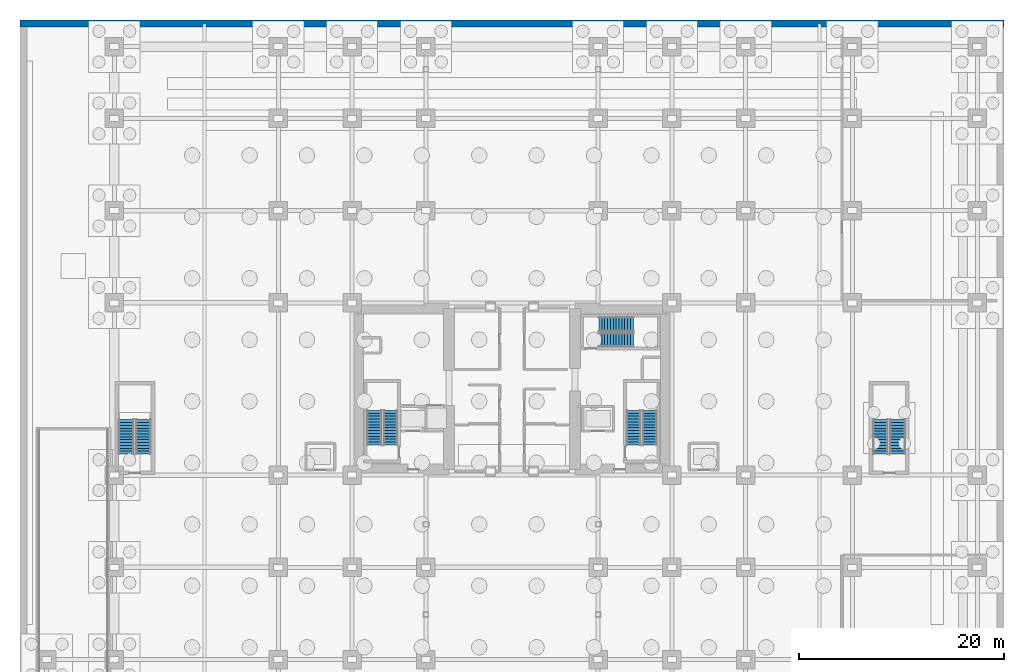
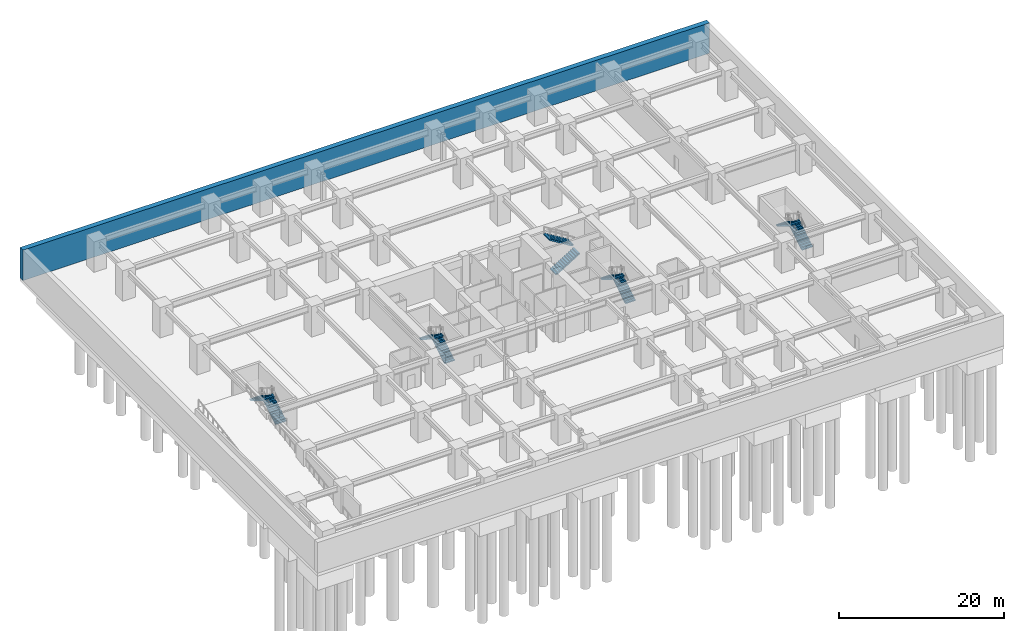
# One storey, part 14 of 23: 10 stair flights, 1 wall, 5 elements without a shape of their own.
"""IFC4 building model written with IfcOpenShell, lengths in metres."""

from ifc_helpers import new_model, si_unit, direction, frame, frame_2d, origin, place, context, subcontext, project, spatial, polyline, rectangle, outline, extrude, material, layer, layer_set, type_object, element, aggregate, save


model = new_model("IFC4")

# Units and contexts
model_context = context("Model", 3, precision=1e-05, world=origin(), true_north=direction((0.0, 1.0)))
body_context = subcontext(model_context, "Body", "Model", "MODEL_VIEW")
ifc_project = project(units=[si_unit("LENGTHUNIT", "METRE"), si_unit("AREAUNIT", "SQUARE_METRE"), si_unit("VOLUMEUNIT", "CUBIC_METRE"), si_unit("PLANEANGLEUNIT", "RADIAN"), si_unit("MASSUNIT", "GRAM", prefix="KILO")], contexts=[model_context])

# Site, building, storey
site_placement = place(None, origin())
site = spatial("IfcSite", under=ifc_project, at=site_placement, CompositionType="ELEMENT")
building_placement = place(site_placement, origin())
building = spatial("IfcBuilding", under=site, at=building_placement, Name="Kiyonajd Concourse Tower", CompositionType="ELEMENT")
storey_placement = place(building_placement, frame((0.0, 0.0, -9.0)))
storey = spatial("IfcBuildingStorey", under=building, at=storey_placement, Name="B2", CompositionType="ELEMENT", Elevation=-9.0)

# Wall
ifc_material_1 = material(Name="Concrete C50/60", Category="concrete")
ifc_layer = layer(ifc_material_1, 0.699951171875)
ifc_layer_set = layer_set([ifc_layer], Name="Concrete C50/60")
wall_type = type_object("IfcWallType", Name="WL-RET-700", PredefinedType="SOLIDWALL", material=ifc_layer_set)
wall_placement = place(storey_placement, frame((96.0, 71.64990234375, 0.0), z_axis=(0.0, 0.0, 1.0), x_axis=(-1.0, 0.0, 0.0)))
element("IfcWall", 1, at=wall_placement, inside=storey, type_object=wall_type, Name="B2 North Basement Retaining Wall", PredefinedType="SOLIDWALL", context=body_context, shape_type="SweptSolid", body=[
    extrude(rectangle(XDim=96.0, YDim=0.699951171875, at=frame_2d((48.0, 0.0))), origin(), (0.0, 0.0, 1.0), 4.5),
])

# Stair, stair flights
ifc_material_2 = material(Name="Concrete C40/50", Category="concrete")
stair_type_1 = type_object("IfcStairType", Name="ST-POD-1500", PredefinedType="HALF_TURN_STAIR", material=ifc_material_2)
stair_1_placement = place(storey_placement, origin())
stair_1 = element("IfcStair", 2, at=stair_1_placement, inside=storey, type_object=stair_type_1, Name="B2 West Podium Exit Stair ST4", PredefinedType="HALF_TURN_STAIR")
stair_flight_type_1 = type_object("IfcStairFlightType", Name="SF-POD-1500", PredefinedType="STRAIGHT", material=ifc_material_2)
stair_flight_1_placement = place(storey_placement, frame((12.050048828125, 29.64990234375, 0.0), z_axis=(0.0, 0.0, 1.0), x_axis=(0.0, 1.0, 0.0)))
stair_flight_1 = element("IfcStairFlight", 3, at=stair_flight_1_placement, type_object=stair_flight_type_1, Name="ST4 flight 1", NumberOfRisers=13, NumberOfTreads=12, PredefinedType="STRAIGHT", RiserHeight=0.173076923, TreadLength=0.28, context=body_context, shape_type="SweptSolid", body=[
    extrude(outline(polyline([(0.0, 0.0), (0.0, 0.173095703125), (0.280029296875, 0.173095703125), (0.280029296875, 0.34619140625), (0.56005859375, 0.34619140625), (0.56005859375, 0.519287109375), (0.840087890625, 0.519287109375), (0.840087890625, 0.6923828125), (1.1201171875, 0.6923828125), (1.1201171875, 0.865478515625), (1.39990234375, 0.865478515625), (1.39990234375, 1.03857421875), (1.679931640625, 1.03857421875), (1.679931640625, 1.21142578125), (1.9599609375, 1.21142578125), (1.9599609375, 1.384521484375), (2.239990234375, 1.384521484375), (2.239990234375, 1.5576171875), (2.52001953125, 1.5576171875), (2.52001953125, 1.730712890625), (2.800048828125, 1.730712890625), (2.800048828125, 1.90380859375), (3.080078125, 1.90380859375), (3.080078125, 2.076904296875), (3.360107421875, 2.076904296875), (3.360107421875, 2.25), (3.360107421875, 1.900634765625), (0.28515625, 0.0), (0.0, 0.0)])), frame((0.0, 0.75, 0.0), z_axis=(0.0, -1.0, 0.0), x_axis=(1.0, 0.0, 0.0)), (0.0, 0.0, 1.0), 1.5),
])
stair_flight_2_placement = place(storey_placement, frame((10.35009765625, 33.010009765625, 2.25), z_axis=(0.0, 0.0, 1.0), x_axis=(0.0, -1.0, 0.0)))
stair_flight_2 = element("IfcStairFlight", 4, at=stair_flight_2_placement, type_object=stair_flight_type_1, Name="ST4 flight 2", NumberOfRisers=13, NumberOfTreads=12, PredefinedType="STRAIGHT", RiserHeight=0.173076923, TreadLength=0.28, context=body_context, shape_type="SweptSolid", body=[
    extrude(outline(polyline([(0.0, 0.0), (0.0, 0.173095703125), (0.280029296875, 0.173095703125), (0.280029296875, 0.34619140625), (0.56005859375, 0.34619140625), (0.56005859375, 0.519287109375), (0.840087890625, 0.519287109375), (0.840087890625, 0.6923828125), (1.1201171875, 0.6923828125), (1.1201171875, 0.865478515625), (1.39990234375, 0.865478515625), (1.39990234375, 1.03857421875), (1.679931640625, 1.03857421875), (1.679931640625, 1.21142578125), (1.9599609375, 1.21142578125), (1.9599609375, 1.384521484375), (2.239990234375, 1.384521484375), (2.239990234375, 1.5576171875), (2.52001953125, 1.5576171875), (2.52001953125, 1.730712890625), (2.800048828125, 1.730712890625), (2.800048828125, 1.90380859375), (3.080078125, 1.90380859375), (3.080078125, 2.076904296875), (3.360107421875, 2.076904296875), (3.360107421875, 2.25), (3.360107421875, 1.900634765625), (0.28515625, 0.0), (0.0, 0.0)])), frame((0.0, 0.75, 0.0), z_axis=(0.0, -1.0, 0.0), x_axis=(1.0, 0.0, 0.0)), (0.0, 0.0, 1.0), 1.5),
])
aggregate(stair_1, [stair_flight_1, stair_flight_2])

stair_2_placement = place(storey_placement, origin())
stair_2 = element("IfcStair", 5, at=stair_2_placement, inside=storey, type_object=stair_type_1, Name="B2 East Podium Exit Stair ST5", PredefinedType="HALF_TURN_STAIR")
stair_flight_3_placement = place(storey_placement, frame((85.64990234375, 29.64990234375, 0.0), z_axis=(0.0, 0.0, 1.0), x_axis=(0.0, 1.0, 0.0)))
stair_flight_3 = element("IfcStairFlight", 6, at=stair_flight_3_placement, type_object=stair_flight_type_1, Name="ST5 flight 1", NumberOfRisers=13, NumberOfTreads=12, PredefinedType="STRAIGHT", RiserHeight=0.173076923, TreadLength=0.28, context=body_context, shape_type="SweptSolid", body=[
    extrude(outline(polyline([(0.0, 0.0), (0.0, 0.173095703125), (0.280029296875, 0.173095703125), (0.280029296875, 0.34619140625), (0.56005859375, 0.34619140625), (0.56005859375, 0.519287109375), (0.840087890625, 0.519287109375), (0.840087890625, 0.6923828125), (1.1201171875, 0.6923828125), (1.1201171875, 0.865478515625), (1.39990234375, 0.865478515625), (1.39990234375, 1.03857421875), (1.679931640625, 1.03857421875), (1.679931640625, 1.21142578125), (1.9599609375, 1.21142578125), (1.9599609375, 1.384521484375), (2.239990234375, 1.384521484375), (2.239990234375, 1.5576171875), (2.52001953125, 1.5576171875), (2.52001953125, 1.730712890625), (2.800048828125, 1.730712890625), (2.800048828125, 1.90380859375), (3.080078125, 1.90380859375), (3.080078125, 2.076904296875), (3.360107421875, 2.076904296875), (3.360107421875, 2.25), (3.360107421875, 1.900634765625), (0.28515625, 0.0), (0.0, 0.0)])), frame((0.0, 0.75, 0.0), z_axis=(0.0, -1.0, 0.0), x_axis=(1.0, 0.0, 0.0)), (0.0, 0.0, 1.0), 1.5),
])
stair_flight_4_placement = place(storey_placement, frame((83.949951171875, 33.010009765625, 2.25), z_axis=(0.0, 0.0, 1.0), x_axis=(0.0, -1.0, 0.0)))
stair_flight_4 = element("IfcStairFlight", 7, at=stair_flight_4_placement, type_object=stair_flight_type_1, Name="ST5 flight 2", NumberOfRisers=13, NumberOfTreads=12, PredefinedType="STRAIGHT", RiserHeight=0.173076923, TreadLength=0.28, context=body_context, shape_type="SweptSolid", body=[
    extrude(outline(polyline([(0.0, 0.0), (0.0, 0.173095703125), (0.280029296875, 0.173095703125), (0.280029296875, 0.34619140625), (0.56005859375, 0.34619140625), (0.56005859375, 0.519287109375), (0.840087890625, 0.519287109375), (0.840087890625, 0.6923828125), (1.1201171875, 0.6923828125), (1.1201171875, 0.865478515625), (1.39990234375, 0.865478515625), (1.39990234375, 1.03857421875), (1.679931640625, 1.03857421875), (1.679931640625, 1.21142578125), (1.9599609375, 1.21142578125), (1.9599609375, 1.384521484375), (2.239990234375, 1.384521484375), (2.239990234375, 1.5576171875), (2.52001953125, 1.5576171875), (2.52001953125, 1.730712890625), (2.800048828125, 1.730712890625), (2.800048828125, 1.90380859375), (3.080078125, 1.90380859375), (3.080078125, 2.076904296875), (3.360107421875, 2.076904296875), (3.360107421875, 2.25), (3.360107421875, 1.900634765625), (0.28515625, 0.0), (0.0, 0.0)])), frame((0.0, 0.75, 0.0), z_axis=(0.0, -1.0, 0.0), x_axis=(1.0, 0.0, 0.0)), (0.0, 0.0, 1.0), 1.5),
])
aggregate(stair_2, [stair_flight_3, stair_flight_4])

stair_type_2 = type_object("IfcStairType", Name="ST-DLG-26R", PredefinedType="HALF_TURN_STAIR", material=ifc_material_2)
stair_3_placement = place(storey_placement, origin())
stair_3 = element("IfcStair", 8, at=stair_3_placement, inside=storey, type_object=stair_type_2, Name="B2 Protected Exit Stair ST1", PredefinedType="HALF_TURN_STAIR")
stair_flight_type_2 = type_object("IfcStairFlightType", Name="SF-STR-26R", PredefinedType="STRAIGHT", material=ifc_material_2)
stair_flight_5_placement = place(storey_placement, frame((36.14990234375, 30.550048828125, 0.0), z_axis=(0.0, 0.0, 1.0), x_axis=(0.0, 1.0, 0.0)))
stair_flight_5 = element("IfcStairFlight", 9, at=stair_flight_5_placement, type_object=stair_flight_type_2, Name="ST1 flight 1", NumberOfRisers=13, NumberOfTreads=12, PredefinedType="STRAIGHT", RiserHeight=0.173076923, TreadLength=0.28, context=body_context, shape_type="SweptSolid", body=[
    extrude(outline(polyline([(0.0, 0.0), (0.0, 0.173095703125), (0.280029296875, 0.173095703125), (0.280029296875, 0.34619140625), (0.56005859375, 0.34619140625), (0.56005859375, 0.519287109375), (0.840087890625, 0.519287109375), (0.840087890625, 0.6923828125), (1.1201171875, 0.6923828125), (1.1201171875, 0.865478515625), (1.39990234375, 0.865478515625), (1.39990234375, 1.03857421875), (1.679931640625, 1.03857421875), (1.679931640625, 1.21142578125), (1.9599609375, 1.21142578125), (1.9599609375, 1.384521484375), (2.239990234375, 1.384521484375), (2.239990234375, 1.5576171875), (2.52001953125, 1.5576171875), (2.52001953125, 1.730712890625), (2.800048828125, 1.730712890625), (2.800048828125, 1.90380859375), (3.080078125, 1.90380859375), (3.080078125, 2.076904296875), (3.360107421875, 2.076904296875), (3.360107421875, 2.25), (3.360107421875, 1.900634765625), (0.28515625, 0.0), (0.0, 0.0)])), frame((0.0, 0.699951171875, 0.0), z_axis=(0.0, -1.0, 0.0), x_axis=(1.0, 0.0, 0.0)), (0.0, 0.0, 1.0), 1.39990234375),
])
stair_flight_6_placement = place(storey_placement, frame((34.550048828125, 33.909912109375, 2.25), z_axis=(0.0, 0.0, 1.0), x_axis=(0.0, -1.0, 0.0)))
stair_flight_6 = element("IfcStairFlight", 10, at=stair_flight_6_placement, type_object=stair_flight_type_2, Name="ST1 flight 2", NumberOfRisers=13, NumberOfTreads=12, PredefinedType="STRAIGHT", RiserHeight=0.173076923, TreadLength=0.28, context=body_context, shape_type="SweptSolid", body=[
    extrude(outline(polyline([(0.0, 0.0), (0.0, 0.173095703125), (0.280029296875, 0.173095703125), (0.280029296875, 0.34619140625), (0.56005859375, 0.34619140625), (0.56005859375, 0.519287109375), (0.840087890625, 0.519287109375), (0.840087890625, 0.6923828125), (1.1201171875, 0.6923828125), (1.1201171875, 0.865478515625), (1.39990234375, 0.865478515625), (1.39990234375, 1.03857421875), (1.679931640625, 1.03857421875), (1.679931640625, 1.21142578125), (1.9599609375, 1.21142578125), (1.9599609375, 1.384521484375), (2.239990234375, 1.384521484375), (2.239990234375, 1.5576171875), (2.52001953125, 1.5576171875), (2.52001953125, 1.730712890625), (2.800048828125, 1.730712890625), (2.800048828125, 1.90380859375), (3.080078125, 1.90380859375), (3.080078125, 2.076904296875), (3.360107421875, 2.076904296875), (3.360107421875, 2.25), (3.360107421875, 1.900634765625), (0.28515625, 0.0), (0.0, 0.0)])), frame((0.0, 0.699951171875, 0.0), z_axis=(0.0, -1.0, 0.0), x_axis=(1.0, 0.0, 0.0)), (0.0, 0.0, 1.0), 1.39990234375),
])
aggregate(stair_3, [stair_flight_5, stair_flight_6])

stair_4_placement = place(storey_placement, origin())
stair_4 = element("IfcStair", 11, at=stair_4_placement, inside=storey, type_object=stair_type_2, Name="B2 Protected Exit Stair ST2", PredefinedType="HALF_TURN_STAIR")
stair_flight_7_placement = place(storey_placement, frame((61.449951171875, 30.550048828125, 0.0), z_axis=(0.0, 0.0, 1.0), x_axis=(0.0, 1.0, 0.0)))
stair_flight_7 = element("IfcStairFlight", 12, at=stair_flight_7_placement, type_object=stair_flight_type_2, Name="ST2 flight 1", NumberOfRisers=13, NumberOfTreads=12, PredefinedType="STRAIGHT", RiserHeight=0.173076923, TreadLength=0.28, context=body_context, shape_type="SweptSolid", body=[
    extrude(outline(polyline([(0.0, 0.0), (0.0, 0.173095703125), (0.280029296875, 0.173095703125), (0.280029296875, 0.34619140625), (0.56005859375, 0.34619140625), (0.56005859375, 0.519287109375), (0.840087890625, 0.519287109375), (0.840087890625, 0.6923828125), (1.1201171875, 0.6923828125), (1.1201171875, 0.865478515625), (1.39990234375, 0.865478515625), (1.39990234375, 1.03857421875), (1.679931640625, 1.03857421875), (1.679931640625, 1.21142578125), (1.9599609375, 1.21142578125), (1.9599609375, 1.384521484375), (2.239990234375, 1.384521484375), (2.239990234375, 1.5576171875), (2.52001953125, 1.5576171875), (2.52001953125, 1.730712890625), (2.800048828125, 1.730712890625), (2.800048828125, 1.90380859375), (3.080078125, 1.90380859375), (3.080078125, 2.076904296875), (3.360107421875, 2.076904296875), (3.360107421875, 2.25), (3.360107421875, 1.900634765625), (0.28515625, 0.0), (0.0, 0.0)])), frame((0.0, 0.699951171875, 0.0), z_axis=(0.0, -1.0, 0.0), x_axis=(1.0, 0.0, 0.0)), (0.0, 0.0, 1.0), 1.39990234375),
])
stair_flight_8_placement = place(storey_placement, frame((59.85009765625, 33.909912109375, 2.25), z_axis=(0.0, 0.0, 1.0), x_axis=(0.0, -1.0, 0.0)))
stair_flight_8 = element("IfcStairFlight", 13, at=stair_flight_8_placement, type_object=stair_flight_type_2, Name="ST2 flight 2", NumberOfRisers=13, NumberOfTreads=12, PredefinedType="STRAIGHT", RiserHeight=0.173076923, TreadLength=0.28, context=body_context, shape_type="SweptSolid", body=[
    extrude(outline(polyline([(0.0, 0.0), (0.0, 0.173095703125), (0.280029296875, 0.173095703125), (0.280029296875, 0.34619140625), (0.56005859375, 0.34619140625), (0.56005859375, 0.519287109375), (0.840087890625, 0.519287109375), (0.840087890625, 0.6923828125), (1.1201171875, 0.6923828125), (1.1201171875, 0.865478515625), (1.39990234375, 0.865478515625), (1.39990234375, 1.03857421875), (1.679931640625, 1.03857421875), (1.679931640625, 1.21142578125), (1.9599609375, 1.21142578125), (1.9599609375, 1.384521484375), (2.239990234375, 1.384521484375), (2.239990234375, 1.5576171875), (2.52001953125, 1.5576171875), (2.52001953125, 1.730712890625), (2.800048828125, 1.730712890625), (2.800048828125, 1.90380859375), (3.080078125, 1.90380859375), (3.080078125, 2.076904296875), (3.360107421875, 2.076904296875), (3.360107421875, 2.25), (3.360107421875, 1.900634765625), (0.28515625, 0.0), (0.0, 0.0)])), frame((0.0, 0.699951171875, 0.0), z_axis=(0.0, -1.0, 0.0), x_axis=(1.0, 0.0, 0.0)), (0.0, 0.0, 1.0), 1.39990234375),
])
aggregate(stair_4, [stair_flight_7, stair_flight_8])

stair_5_placement = place(storey_placement, origin())
stair_5 = element("IfcStair", 14, at=stair_5_placement, inside=storey, type_object=stair_type_2, Name="B2 Protected Exit Stair ST3", PredefinedType="HALF_TURN_STAIR")
stair_flight_9_placement = place(storey_placement, frame((56.47998046875, 40.780029296875, 0.0), z_axis=(0.0, 0.0, 1.0), x_axis=(1.0, 0.0, 0.0)))
stair_flight_9 = element("IfcStairFlight", 15, at=stair_flight_9_placement, type_object=stair_flight_type_2, Name="ST3 flight 1", NumberOfRisers=13, NumberOfTreads=12, PredefinedType="STRAIGHT", RiserHeight=0.173076923, TreadLength=0.28, context=body_context, shape_type="SweptSolid", body=[
    extrude(outline(polyline([(0.0, 0.0), (0.0, 0.173095703125), (0.280029296875, 0.173095703125), (0.280029296875, 0.34619140625), (0.56005859375, 0.34619140625), (0.56005859375, 0.519287109375), (0.840087890625, 0.519287109375), (0.840087890625, 0.6923828125), (1.1201171875, 0.6923828125), (1.1201171875, 0.865478515625), (1.39990234375, 0.865478515625), (1.39990234375, 1.03857421875), (1.679931640625, 1.03857421875), (1.679931640625, 1.21142578125), (1.9599609375, 1.21142578125), (1.9599609375, 1.384521484375), (2.239990234375, 1.384521484375), (2.239990234375, 1.5576171875), (2.52001953125, 1.5576171875), (2.52001953125, 1.730712890625), (2.800048828125, 1.730712890625), (2.800048828125, 1.90380859375), (3.080078125, 1.90380859375), (3.080078125, 2.076904296875), (3.360107421875, 2.076904296875), (3.360107421875, 2.25), (3.360107421875, 1.900634765625), (0.28515625, 0.0), (0.0, 0.0)])), frame((0.0, 0.699951171875, 0.0), z_axis=(0.0, -1.0, 0.0), x_axis=(1.0, 0.0, 0.0)), (0.0, 0.0, 1.0), 1.39990234375),
])
stair_flight_10_placement = place(storey_placement, frame((59.840087890625, 42.320068359375, 2.25), z_axis=(0.0, 0.0, 1.0), x_axis=(-1.0, 0.0, 0.0)))
stair_flight_10 = element("IfcStairFlight", 16, at=stair_flight_10_placement, type_object=stair_flight_type_2, Name="ST3 flight 2", NumberOfRisers=13, NumberOfTreads=12, PredefinedType="STRAIGHT", RiserHeight=0.173076923, TreadLength=0.28, context=body_context, shape_type="SweptSolid", body=[
    extrude(outline(polyline([(0.0, 0.0), (0.0, 0.173095703125), (0.280029296875, 0.173095703125), (0.280029296875, 0.34619140625), (0.56005859375, 0.34619140625), (0.56005859375, 0.519287109375), (0.840087890625, 0.519287109375), (0.840087890625, 0.6923828125), (1.1201171875, 0.6923828125), (1.1201171875, 0.865478515625), (1.39990234375, 0.865478515625), (1.39990234375, 1.03857421875), (1.679931640625, 1.03857421875), (1.679931640625, 1.21142578125), (1.9599609375, 1.21142578125), (1.9599609375, 1.384521484375), (2.239990234375, 1.384521484375), (2.239990234375, 1.5576171875), (2.52001953125, 1.5576171875), (2.52001953125, 1.730712890625), (2.800048828125, 1.730712890625), (2.800048828125, 1.90380859375), (3.080078125, 1.90380859375), (3.080078125, 2.076904296875), (3.360107421875, 2.076904296875), (3.360107421875, 2.25), (3.360107421875, 1.900634765625), (0.28515625, 0.0), (0.0, 0.0)])), frame((0.0, 0.699951171875, 0.0), z_axis=(0.0, -1.0, 0.0), x_axis=(1.0, 0.0, 0.0)), (0.0, 0.0, 1.0), 1.39990234375),
])
aggregate(stair_5, [stair_flight_9, stair_flight_10])

save(model, "model.ifc")
